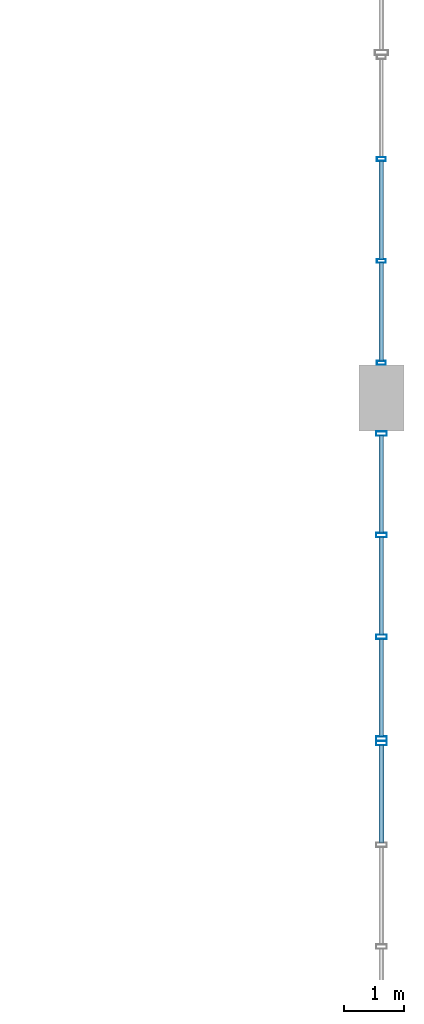
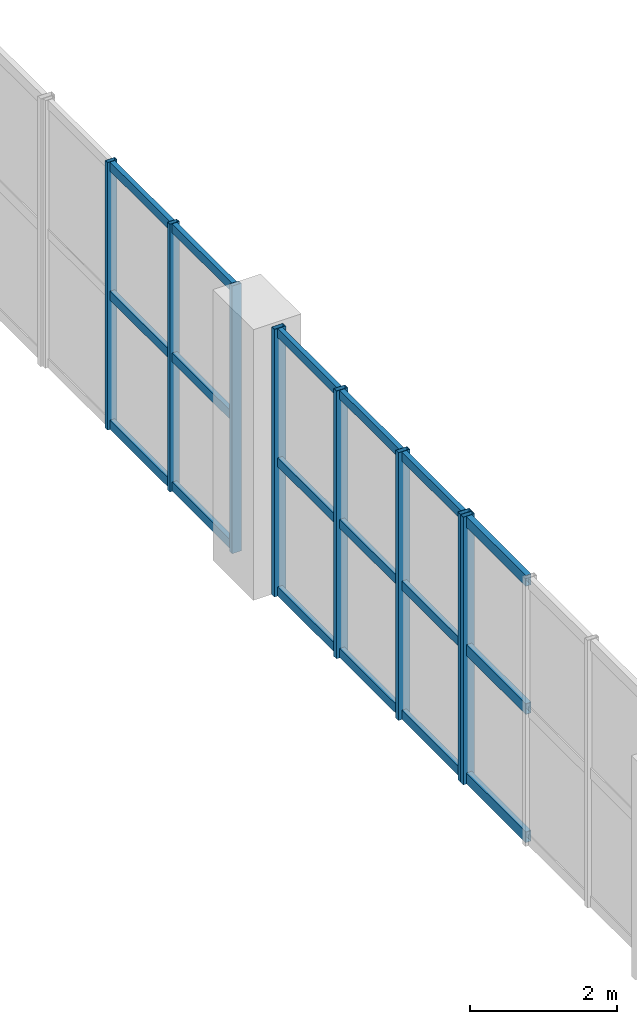
# One storey, part 25 of 48: 26 members, 3 elements without a shape of their own.
"""IFC4 building model written with IfcOpenShell, lengths in metres."""

from ifc_helpers import new_model, si_unit, direction, frame, origin, origin_2d, place, context, subcontext, project, spatial, hollow_rectangle, extrude, material, layer, layer_set, material_profile, profile_set, type_object, element, aggregate, save


model = new_model("IFC4")

# Units and contexts
model_context = context("Model", 3, precision=1e-05, world=origin(), true_north=direction((0.0, 1.0)))
body_context = subcontext(model_context, "Body", "Model", "MODEL_VIEW")
ifc_project = project(units=[si_unit("LENGTHUNIT", "METRE"), si_unit("AREAUNIT", "SQUARE_METRE"), si_unit("VOLUMEUNIT", "CUBIC_METRE"), si_unit("PLANEANGLEUNIT", "RADIAN"), si_unit("MASSUNIT", "GRAM", prefix="KILO"), si_unit("POWERUNIT", "WATT"), si_unit("THERMODYNAMICTEMPERATUREUNIT", "KELVIN")], contexts=[model_context])

# Site, building, storey
site_placement = place(None, origin())
site = spatial("IfcSite", under=ifc_project, at=site_placement, CompositionType="ELEMENT")
building_placement = place(site_placement, origin())
building = spatial("IfcBuilding", under=site, at=building_placement, Name="Kelmbourne Parkland Aquatics Centre", CompositionType="ELEMENT")
storey_placement = place(building_placement, frame((0.0, 0.0, 14.699951171875)))
storey = spatial("IfcBuildingStorey", under=building, at=storey_placement, Name="L03", CompositionType="ELEMENT", Elevation=14.699951171875)

# Curtain wall, members
ifc_material = material(Name="Thermally broken anodised aluminium framing", Category="aluminium")
ifc_layer_1 = layer(ifc_material, 0.179931640625)
ifc_layer_set_1 = layer_set([ifc_layer_1], Name="Thermally broken anodised aluminium framing")
curtain_wall_type_1 = type_object("IfcCurtainWallType", Name="CW-13", PredefinedType="NOTDEFINED", material=ifc_layer_set_1)
curtain_wall_1_placement = place(storey_placement, origin())
curtain_wall_1 = element("IfcCurtainWall", 1, at=curtain_wall_1_placement, inside=storey, type_object=curtain_wall_type_1, Name="Wave-hall clerestory curtain wall CW-L03-085", PredefinedType="NOTDEFINED")
ifc_material_profile_1 = material_profile(ifc_material, hollow_rectangle(XDim=0.06494140625, YDim=0.14990234375, WallThickness=0.00390625, at=origin_2d()), Name="CW-M 65x150")
ifc_profile_set_1 = profile_set([ifc_material_profile_1], Name="Thermally broken anodised aluminium framing")
member_type_1 = type_object("IfcMemberType", Name="MB-MUL-1", PredefinedType="MULLION", material=ifc_profile_set_1)
member_1_placement = place(storey_placement, frame((175.199951171875, 92.58447265625, 0.0), z_axis=(0.0, 0.0, 1.0), x_axis=(0.0, 1.0, 0.0)))
member_1 = element("IfcMember", 2, at=member_1_placement, type_object=member_type_1, Name="CW-L03-085 mullion 0", PredefinedType="MULLION", context=body_context, shape_type="SweptSolid", body=[
    extrude(hollow_rectangle(XDim=0.06494140625, YDim=0.14990234375, WallThickness=0.00390625, at=origin_2d()), origin(), (0.0, 0.0, 1.0), 4.449951171875),
])
member_2_placement = place(storey_placement, frame((175.199951171875, 94.27880859375, 0.0), z_axis=(0.0, 0.0, 1.0), x_axis=(0.0, 1.0, 0.0)))
member_2 = element("IfcMember", 3, at=member_2_placement, type_object=member_type_1, Name="CW-L03-085 mullion 1", PredefinedType="MULLION", context=body_context, shape_type="SweptSolid", body=[
    extrude(hollow_rectangle(XDim=0.06494140625, YDim=0.14990234375, WallThickness=0.00390625, at=origin_2d()), origin(), (0.0, 0.0, 1.0), 4.449951171875),
])
member_3_placement = place(storey_placement, frame((175.199951171875, 95.97314453125, 0.0), z_axis=(0.0, 0.0, 1.0), x_axis=(0.0, 1.0, 0.0)))
member_3 = element("IfcMember", 4, at=member_3_placement, type_object=member_type_1, Name="CW-L03-085 mullion 2", PredefinedType="MULLION", context=body_context, shape_type="SweptSolid", body=[
    extrude(hollow_rectangle(XDim=0.06494140625, YDim=0.14990234375, WallThickness=0.00390625, at=origin_2d()), origin(), (0.0, 0.0, 1.0), 4.449951171875),
])

# Curtain wall, member
ifc_layer_2 = layer(ifc_material, 0.179931640625)
ifc_layer_set_2 = layer_set([ifc_layer_2], Name="Thermally broken anodised aluminium framing")
curtain_wall_type_2 = type_object("IfcCurtainWallType", Name="CW-23", PredefinedType="NOTDEFINED", material=ifc_layer_set_2)
curtain_wall_2_placement = place(storey_placement, origin())
curtain_wall_2 = element("IfcCurtainWall", 5, at=curtain_wall_2_placement, inside=storey, type_object=curtain_wall_type_2, Name="Wave-hall clerestory curtain wall CW-L03-071", PredefinedType="NOTDEFINED")
ifc_material_profile_2 = material_profile(ifc_material, hollow_rectangle(XDim=0.074951171875, YDim=0.179931640625, WallThickness=0.00439453125, at=origin_2d()), Name="CW-M 75x180")
ifc_profile_set_2 = profile_set([ifc_material_profile_2], Name="Thermally broken anodised aluminium framing")
member_type_2 = type_object("IfcMemberType", Name="MB-MUL-2", PredefinedType="MULLION", material=ifc_profile_set_2)
member_4_placement = place(storey_placement, frame((175.199951171875, 86.262451171875, 0.0), z_axis=(0.0, 0.0, 1.0), x_axis=(0.0, 1.0, 0.0)))
member_4 = element("IfcMember", 6, at=member_4_placement, type_object=member_type_2, Name="CW-L03-071 mullion 3", PredefinedType="MULLION", context=body_context, shape_type="SweptSolid", body=[
    extrude(hollow_rectangle(XDim=0.074951171875, YDim=0.179931640625, WallThickness=0.00439453125, at=origin_2d()), origin(), (0.0, 0.0, 1.0), 4.449951171875),
])

# Curtain wall, members
ifc_layer_3 = layer(ifc_material, 0.179931640625)
ifc_layer_set_3 = layer_set([ifc_layer_3], Name="Thermally broken anodised aluminium framing")
curtain_wall_type_3 = type_object("IfcCurtainWallType", Name="CW-04", PredefinedType="NOTDEFINED", material=ifc_layer_set_3)
curtain_wall_3_placement = place(storey_placement, origin())
curtain_wall_3 = element("IfcCurtainWall", 7, at=curtain_wall_3_placement, inside=storey, type_object=curtain_wall_type_3, Name="Wave-hall clerestory curtain wall CW-L03-076", PredefinedType="NOTDEFINED")
member_5_placement = place(storey_placement, frame((175.199951171875, 86.33740234375, 0.0), z_axis=(0.0, 0.0, 1.0), x_axis=(0.0, 1.0, 0.0)))
member_5 = element("IfcMember", 8, at=member_5_placement, type_object=member_type_2, Name="CW-L03-076 mullion 0", PredefinedType="MULLION", context=body_context, shape_type="SweptSolid", body=[
    extrude(hollow_rectangle(XDim=0.074951171875, YDim=0.179931640625, WallThickness=0.00439453125, at=origin_2d()), origin(), (0.0, 0.0, 1.0), 4.449951171875),
])
member_6_placement = place(storey_placement, frame((175.199951171875, 88.028564453125, 0.0), z_axis=(0.0, 0.0, 1.0), x_axis=(0.0, 1.0, 0.0)))
member_6 = element("IfcMember", 9, at=member_6_placement, type_object=member_type_2, Name="CW-L03-076 mullion 1", PredefinedType="MULLION", context=body_context, shape_type="SweptSolid", body=[
    extrude(hollow_rectangle(XDim=0.074951171875, YDim=0.179931640625, WallThickness=0.00439453125, at=origin_2d()), origin(), (0.0, 0.0, 1.0), 4.449951171875),
])
member_7_placement = place(storey_placement, frame((175.199951171875, 89.719482421875, 0.0), z_axis=(0.0, 0.0, 1.0), x_axis=(0.0, 1.0, 0.0)))
member_7 = element("IfcMember", 10, at=member_7_placement, type_object=member_type_2, Name="CW-L03-076 mullion 2", PredefinedType="MULLION", context=body_context, shape_type="SweptSolid", body=[
    extrude(hollow_rectangle(XDim=0.074951171875, YDim=0.179931640625, WallThickness=0.00439453125, at=origin_2d()), origin(), (0.0, 0.0, 1.0), 4.449951171875),
])
member_8_placement = place(storey_placement, frame((175.199951171875, 91.410400390625, 0.0), z_axis=(0.0, 0.0, 1.0), x_axis=(0.0, 1.0, 0.0)))
member_8 = element("IfcMember", 11, at=member_8_placement, type_object=member_type_2, Name="CW-L03-076 mullion 3", PredefinedType="MULLION", context=body_context, shape_type="SweptSolid", body=[
    extrude(hollow_rectangle(XDim=0.074951171875, YDim=0.179931640625, WallThickness=0.00439453125, at=origin_2d()), origin(), (0.0, 0.0, 1.0), 4.449951171875),
])
ifc_material_profile_3 = material_profile(ifc_material, hollow_rectangle(XDim=0.074951171875, YDim=0.14990234375, WallThickness=0.00390625, at=origin_2d()), Name="CW-T 75x150")
ifc_profile_set_3 = profile_set([ifc_material_profile_3], Name="Thermally broken anodised aluminium framing")
member_type_3 = type_object("IfcMemberType", Name="MB-TRN-2", PredefinedType="USERDEFINED", material=ifc_profile_set_3)
member_9_placement = place(storey_placement, frame((175.199951171875, 86.37109375, 0.078125), z_axis=(0.0, 1.0, 0.0), x_axis=(-1.0, 0.0, 0.0)))
member_9 = element("IfcMember", 12, at=member_9_placement, type_object=member_type_3, Name="CW-L03-076 transom 0-0", ObjectType="TRANSOM", PredefinedType="USERDEFINED", context=body_context, shape_type="SweptSolid", body=[
    extrude(hollow_rectangle(XDim=0.074951171875, YDim=0.14990234375, WallThickness=0.00390625, at=origin_2d()), origin(), (0.0, 0.0, 1.0), 1.6240234375),
])
member_10_placement = place(storey_placement, frame((175.199951171875, 88.06201171875, 0.078125), z_axis=(0.0, 1.0, 0.0), x_axis=(-1.0, 0.0, 0.0)))
member_10 = element("IfcMember", 13, at=member_10_placement, type_object=member_type_3, Name="CW-L03-076 transom 0-1", ObjectType="TRANSOM", PredefinedType="USERDEFINED", context=body_context, shape_type="SweptSolid", body=[
    extrude(hollow_rectangle(XDim=0.074951171875, YDim=0.14990234375, WallThickness=0.00390625, at=origin_2d()), origin(), (0.0, 0.0, 1.0), 1.6240234375),
])
member_11_placement = place(storey_placement, frame((175.199951171875, 89.7529296875, 0.078125), z_axis=(0.0, 1.0, 0.0), x_axis=(-1.0, 0.0, 0.0)))
member_11 = element("IfcMember", 14, at=member_11_placement, type_object=member_type_3, Name="CW-L03-076 transom 0-2", ObjectType="TRANSOM", PredefinedType="USERDEFINED", context=body_context, shape_type="SweptSolid", body=[
    extrude(hollow_rectangle(XDim=0.074951171875, YDim=0.14990234375, WallThickness=0.00390625, at=origin_2d()), origin(), (0.0, 0.0, 1.0), 1.6240234375),
])
member_12_placement = place(storey_placement, frame((175.199951171875, 86.37109375, 2.22509765625), z_axis=(0.0, 1.0, 0.0), x_axis=(-1.0, 0.0, 0.0)))
member_12 = element("IfcMember", 15, at=member_12_placement, type_object=member_type_3, Name="CW-L03-076 transom 1-0", ObjectType="TRANSOM", PredefinedType="USERDEFINED", context=body_context, shape_type="SweptSolid", body=[
    extrude(hollow_rectangle(XDim=0.074951171875, YDim=0.14990234375, WallThickness=0.00390625, at=origin_2d()), origin(), (0.0, 0.0, 1.0), 1.6240234375),
])
member_13_placement = place(storey_placement, frame((175.199951171875, 88.06201171875, 2.22509765625), z_axis=(0.0, 1.0, 0.0), x_axis=(-1.0, 0.0, 0.0)))
member_13 = element("IfcMember", 16, at=member_13_placement, type_object=member_type_3, Name="CW-L03-076 transom 1-1", ObjectType="TRANSOM", PredefinedType="USERDEFINED", context=body_context, shape_type="SweptSolid", body=[
    extrude(hollow_rectangle(XDim=0.074951171875, YDim=0.14990234375, WallThickness=0.00390625, at=origin_2d()), origin(), (0.0, 0.0, 1.0), 1.6240234375),
])
member_14_placement = place(storey_placement, frame((175.199951171875, 89.7529296875, 2.22509765625), z_axis=(0.0, 1.0, 0.0), x_axis=(-1.0, 0.0, 0.0)))
member_14 = element("IfcMember", 17, at=member_14_placement, type_object=member_type_3, Name="CW-L03-076 transom 1-2", ObjectType="TRANSOM", PredefinedType="USERDEFINED", context=body_context, shape_type="SweptSolid", body=[
    extrude(hollow_rectangle(XDim=0.074951171875, YDim=0.14990234375, WallThickness=0.00390625, at=origin_2d()), origin(), (0.0, 0.0, 1.0), 1.6240234375),
])
member_15_placement = place(storey_placement, frame((175.199951171875, 86.37109375, 4.3720703125), z_axis=(0.0, 1.0, 0.0), x_axis=(-1.0, 0.0, 0.0)))
member_15 = element("IfcMember", 18, at=member_15_placement, type_object=member_type_3, Name="CW-L03-076 transom 2-0", ObjectType="TRANSOM", PredefinedType="USERDEFINED", context=body_context, shape_type="SweptSolid", body=[
    extrude(hollow_rectangle(XDim=0.074951171875, YDim=0.14990234375, WallThickness=0.00390625, at=origin_2d()), origin(), (0.0, 0.0, 1.0), 1.6240234375),
])
member_16_placement = place(storey_placement, frame((175.199951171875, 88.06201171875, 4.3720703125), z_axis=(0.0, 1.0, 0.0), x_axis=(-1.0, 0.0, 0.0)))
member_16 = element("IfcMember", 19, at=member_16_placement, type_object=member_type_3, Name="CW-L03-076 transom 2-1", ObjectType="TRANSOM", PredefinedType="USERDEFINED", context=body_context, shape_type="SweptSolid", body=[
    extrude(hollow_rectangle(XDim=0.074951171875, YDim=0.14990234375, WallThickness=0.00390625, at=origin_2d()), origin(), (0.0, 0.0, 1.0), 1.6240234375),
])
member_17_placement = place(storey_placement, frame((175.199951171875, 89.7529296875, 4.3720703125), z_axis=(0.0, 1.0, 0.0), x_axis=(-1.0, 0.0, 0.0)))
member_17 = element("IfcMember", 20, at=member_17_placement, type_object=member_type_3, Name="CW-L03-076 transom 2-2", ObjectType="TRANSOM", PredefinedType="USERDEFINED", context=body_context, shape_type="SweptSolid", body=[
    extrude(hollow_rectangle(XDim=0.074951171875, YDim=0.14990234375, WallThickness=0.00390625, at=origin_2d()), origin(), (0.0, 0.0, 1.0), 1.6240234375),
])
aggregate(curtain_wall_3, [member_5, member_6, member_7, member_8, member_9, member_10, member_11, member_12, member_13, member_14, member_15, member_16, member_17])

# Member
member_18_placement = place(storey_placement, frame((175.199951171875, 92.613037109375, 0.078125), z_axis=(0.0, 1.0, 0.0), x_axis=(-1.0, 0.0, 0.0)))
member_18 = element("IfcMember", 21, at=member_18_placement, type_object=member_type_3, Name="CW-L03-085 transom 0-0", ObjectType="TRANSOM", PredefinedType="USERDEFINED", context=body_context, shape_type="SweptSolid", body=[
    extrude(hollow_rectangle(XDim=0.074951171875, YDim=0.14990234375, WallThickness=0.00390625, at=origin_2d()), origin(), (0.0, 0.0, 1.0), 1.63720703125),
])

member_19_placement = place(storey_placement, frame((175.199951171875, 94.307373046875, 0.078125), z_axis=(0.0, 1.0, 0.0), x_axis=(-1.0, 0.0, 0.0)))
member_19 = element("IfcMember", 22, at=member_19_placement, type_object=member_type_3, Name="CW-L03-085 transom 0-1", ObjectType="TRANSOM", PredefinedType="USERDEFINED", context=body_context, shape_type="SweptSolid", body=[
    extrude(hollow_rectangle(XDim=0.074951171875, YDim=0.14990234375, WallThickness=0.00390625, at=origin_2d()), origin(), (0.0, 0.0, 1.0), 1.63720703125),
])

member_20_placement = place(storey_placement, frame((175.199951171875, 92.613037109375, 2.22509765625), z_axis=(0.0, 1.0, 0.0), x_axis=(-1.0, 0.0, 0.0)))
member_20 = element("IfcMember", 23, at=member_20_placement, type_object=member_type_3, Name="CW-L03-085 transom 1-0", ObjectType="TRANSOM", PredefinedType="USERDEFINED", context=body_context, shape_type="SweptSolid", body=[
    extrude(hollow_rectangle(XDim=0.074951171875, YDim=0.14990234375, WallThickness=0.00390625, at=origin_2d()), origin(), (0.0, 0.0, 1.0), 1.63720703125),
])

member_21_placement = place(storey_placement, frame((175.199951171875, 94.307373046875, 2.22509765625), z_axis=(0.0, 1.0, 0.0), x_axis=(-1.0, 0.0, 0.0)))
member_21 = element("IfcMember", 24, at=member_21_placement, type_object=member_type_3, Name="CW-L03-085 transom 1-1", ObjectType="TRANSOM", PredefinedType="USERDEFINED", context=body_context, shape_type="SweptSolid", body=[
    extrude(hollow_rectangle(XDim=0.074951171875, YDim=0.14990234375, WallThickness=0.00390625, at=origin_2d()), origin(), (0.0, 0.0, 1.0), 1.63720703125),
])

member_22_placement = place(storey_placement, frame((175.199951171875, 92.613037109375, 4.3720703125), z_axis=(0.0, 1.0, 0.0), x_axis=(-1.0, 0.0, 0.0)))
member_22 = element("IfcMember", 25, at=member_22_placement, type_object=member_type_3, Name="CW-L03-085 transom 2-0", ObjectType="TRANSOM", PredefinedType="USERDEFINED", context=body_context, shape_type="SweptSolid", body=[
    extrude(hollow_rectangle(XDim=0.074951171875, YDim=0.14990234375, WallThickness=0.00390625, at=origin_2d()), origin(), (0.0, 0.0, 1.0), 1.63720703125),
])

member_23_placement = place(storey_placement, frame((175.199951171875, 94.307373046875, 4.3720703125), z_axis=(0.0, 1.0, 0.0), x_axis=(-1.0, 0.0, 0.0)))
member_23 = element("IfcMember", 26, at=member_23_placement, type_object=member_type_3, Name="CW-L03-085 transom 2-1", ObjectType="TRANSOM", PredefinedType="USERDEFINED", context=body_context, shape_type="SweptSolid", body=[
    extrude(hollow_rectangle(XDim=0.074951171875, YDim=0.14990234375, WallThickness=0.00390625, at=origin_2d()), origin(), (0.0, 0.0, 1.0), 1.63720703125),
])

aggregate(curtain_wall_1, [member_1, member_2, member_3, member_18, member_19, member_20, member_21, member_22, member_23])

ifc_material_profile_4 = material_profile(ifc_material, hollow_rectangle(XDim=0.0849609375, YDim=0.179931640625, WallThickness=0.00439453125, at=origin_2d()), Name="CW-T 85x180")
ifc_profile_set_4 = profile_set([ifc_material_profile_4], Name="Thermally broken anodised aluminium framing")
member_type_4 = type_object("IfcMemberType", Name="MB-TRN-3", PredefinedType="USERDEFINED", material=ifc_profile_set_4)
member_24_placement = place(storey_placement, frame((175.199951171875, 84.60498046875, 0.093017578125), z_axis=(0.0, 1.0, 0.0), x_axis=(-1.0, 0.0, 0.0)))
member_24 = element("IfcMember", 27, at=member_24_placement, type_object=member_type_4, Name="CW-L03-071 transom 0-2", ObjectType="TRANSOM", PredefinedType="USERDEFINED", context=body_context, shape_type="SweptSolid", body=[
    extrude(hollow_rectangle(XDim=0.0849609375, YDim=0.179931640625, WallThickness=0.00439453125, at=origin_2d()), origin(), (0.0, 0.0, 1.0), 1.6240234375),
])

member_25_placement = place(storey_placement, frame((175.199951171875, 84.60498046875, 2.22509765625), z_axis=(0.0, 1.0, 0.0), x_axis=(-1.0, 0.0, 0.0)))
member_25 = element("IfcMember", 28, at=member_25_placement, type_object=member_type_4, Name="CW-L03-071 transom 1-2", ObjectType="TRANSOM", PredefinedType="USERDEFINED", context=body_context, shape_type="SweptSolid", body=[
    extrude(hollow_rectangle(XDim=0.0849609375, YDim=0.179931640625, WallThickness=0.00439453125, at=origin_2d()), origin(), (0.0, 0.0, 1.0), 1.6240234375),
])

member_26_placement = place(storey_placement, frame((175.199951171875, 84.60498046875, 4.35693359375), z_axis=(0.0, 1.0, 0.0), x_axis=(-1.0, 0.0, 0.0)))
member_26 = element("IfcMember", 29, at=member_26_placement, type_object=member_type_4, Name="CW-L03-071 transom 2-2", ObjectType="TRANSOM", PredefinedType="USERDEFINED", context=body_context, shape_type="SweptSolid", body=[
    extrude(hollow_rectangle(XDim=0.0849609375, YDim=0.179931640625, WallThickness=0.00439453125, at=origin_2d()), origin(), (0.0, 0.0, 1.0), 1.6240234375),
])

aggregate(curtain_wall_2, [member_4, member_24, member_25, member_26])

save(model, "model.ifc")
